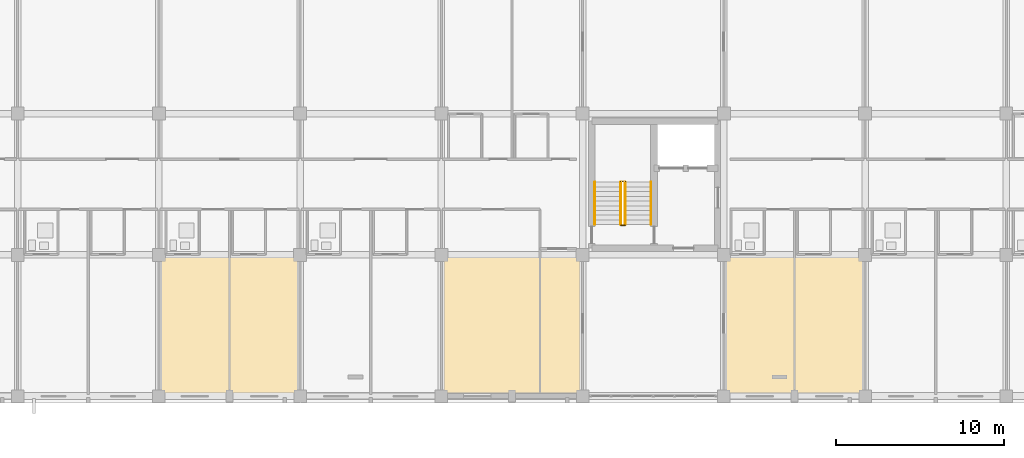
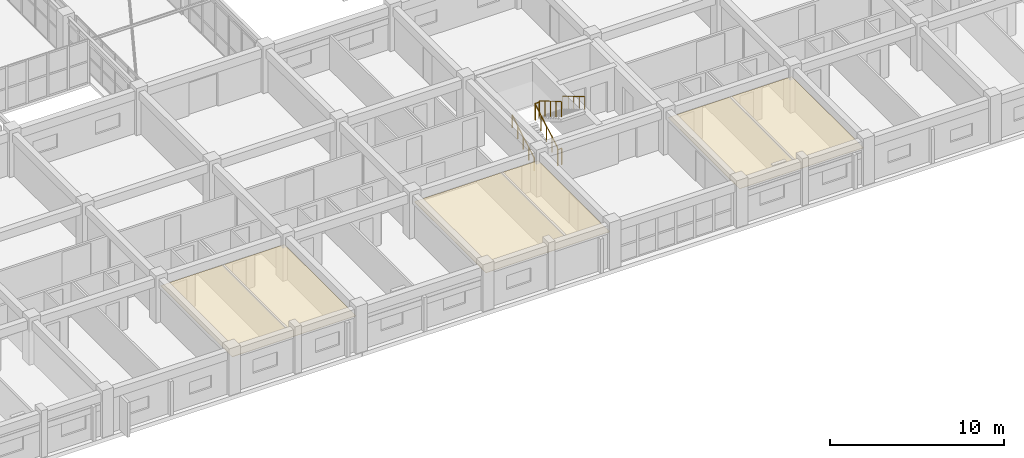
# One storey, part 192 of 200: 6 railings, 3 coverings.
"""IFC4 building model written with IfcOpenShell, lengths in metres."""

from ifc_helpers import new_model, si_unit, direction, frame, origin, origin_2d, place, context, subcontext, project, spatial, polyline, circle, outline, extrude, material, layer, layer_set, type_object, element, save


model = new_model("IFC4")

# Units and contexts
model_context = context("Model", 3, precision=1e-05, world=origin(), true_north=direction((0.0, 1.0)))
body_context = subcontext(model_context, "Body", "Model", "MODEL_VIEW")
ifc_project = project(units=[si_unit("LENGTHUNIT", "METRE"), si_unit("AREAUNIT", "SQUARE_METRE"), si_unit("VOLUMEUNIT", "CUBIC_METRE"), si_unit("PLANEANGLEUNIT", "RADIAN"), si_unit("MASSUNIT", "GRAM", prefix="KILO")], contexts=[model_context])

# Site, building, storey
site_placement = place(None, origin())
site = spatial("IfcSite", under=ifc_project, at=site_placement, CompositionType="ELEMENT")
building_placement = place(site_placement, origin())
building = spatial("IfcBuilding", under=site, at=building_placement, Name="Trelvath General Hospital", CompositionType="ELEMENT")
storey_placement = place(building_placement, frame((0.0, 0.0, 4.800048828125)))
storey = spatial("IfcBuildingStorey", under=building, at=storey_placement, Name="L01", CompositionType="ELEMENT", Elevation=4.800048828125)

# Coverings
ifc_material_1 = material(Name="Hygienic acoustic ceiling tile")
ifc_layer = layer(ifc_material_1, 0.02490234375)
ifc_layer_set = layer_set([ifc_layer], Name="Hygienic acoustic ceiling tile")
covering_type = type_object("IfcCoveringType", Name="Ceiling ClinicalAcoustic", PredefinedType="CEILING", material=ifc_layer_set)
covering_1_placement = place(storey_placement, frame((0.0, 0.0, 2.280029296875)))
element("IfcCovering", 1, at=covering_1_placement, inside=storey, type_object=covering_type, Name="Clinical Acoustic Ceiling L01-16", PredefinedType="CEILING", context=body_context, shape_type="SweptSolid", body=[
    extrude(outline(polyline([(67.300048828125, 0.10009765625), (75.5, 0.10009765625), (75.5, 8.320068359375), (67.300048828125, 8.320068359375), (67.300048828125, 0.10009765625)])), origin(), (0.0, 0.0, 1.0), 0.02490234375),
])
covering_2_placement = place(storey_placement, frame((0.0, 0.0, 2.280029296875)))
element("IfcCovering", 2, at=covering_2_placement, inside=storey, type_object=covering_type, Name="Clinical Acoustic Ceiling L01-17", PredefinedType="CEILING", context=body_context, shape_type="SweptSolid", body=[
    extrude(outline(polyline([(84.10009765625, 0.10009765625), (92.300048828125, 0.10009765625), (92.300048828125, 8.320068359375), (84.10009765625, 8.320068359375), (84.10009765625, 0.10009765625)])), origin(), (0.0, 0.0, 1.0), 0.02490234375),
])
covering_3_placement = place(storey_placement, frame((0.0, 0.0, 2.280029296875)))
element("IfcCovering", 3, at=covering_3_placement, inside=storey, type_object=covering_type, Name="Clinical Acoustic Ceiling L01-18", PredefinedType="CEILING", context=body_context, shape_type="SweptSolid", body=[
    extrude(outline(polyline([(100.89990234375, 0.10009765625), (109.10009765625, 0.10009765625), (109.10009765625, 8.320068359375), (100.89990234375, 8.320068359375), (100.89990234375, 0.10009765625)])), origin(), (0.0, 0.0, 1.0), 0.02490234375),
])

# Railings
ifc_material_2 = material(Name="Architectural painted steel", Category="steel")
railing_type_1 = type_object("IfcRailingType", Name="Guardrail Terrace1150", PredefinedType="GUARDRAIL", material=ifc_material_2)
railing_1_placement = place(storey_placement, frame((94.669921875, 10.159912109375, 0.0)))
element("IfcRailing", 4, at=railing_1_placement, inside=storey, type_object=railing_type_1, Name="Stair Well Edge Guard C5 L01 162", PredefinedType="GUARDRAIL", context=body_context, shape_type="SweptSolid", body=[
    extrude(circle(Radius=0.02392578125, at=origin_2d()), frame((0.0, 0.0, 1.1259765625), z_axis=(1.0, 0.0, 0.0), x_axis=(0.0, 1.0, 0.0)), (0.0, 0.0, 1.0), 0.260009765625),
    extrude(circle(Radius=0.02099609375, at=origin_2d()), origin(), (0.0, 0.0, 1.0), 1.099853515625),
    extrude(circle(Radius=0.02099609375, at=origin_2d()), frame((0.260009765625, 0.0, 0.0)), (0.0, 0.0, 1.0), 1.099853515625),
])
railing_2_placement = place(storey_placement, frame((94.929931640625, 12.719970703125, 1.81494140625)))
element("IfcRailing", 5, at=railing_2_placement, inside=storey, type_object=railing_type_1, Name="Stair Rail ST5 L01 F2 L 164", PredefinedType="GUARDRAIL", context=body_context, shape_type="SweptSolid", body=[
    extrude(circle(Radius=0.02392578125, at=origin_2d()), frame((0.0, 0.0, 1.076171875), z_axis=(0.0, -0.86152411907, 0.507716645641), x_axis=(1.0, 0.0, 0.0)), (0.0, 0.0, 1.0), 2.925048828125),
    extrude(circle(Radius=0.02099609375, at=origin_2d()), origin(), (0.0, 0.0, 1.0), 1.050048828125),
    extrude(circle(Radius=0.02099609375, at=origin_2d()), frame((0.0, -0.6298828125, 0.371337890625)), (0.0, 0.0, 1.0), 1.050048828125),
    extrude(circle(Radius=0.02099609375, at=origin_2d()), frame((0.0, -1.260009765625, 0.74267578125)), (0.0, 0.0, 1.0), 1.050048828125),
    extrude(circle(Radius=0.02099609375, at=origin_2d()), frame((0.0, -1.89013671875, 1.11376953125)), (0.0, 0.0, 1.0), 1.050048828125),
    extrude(circle(Radius=0.02099609375, at=origin_2d()), frame((0.0, -2.52001953125, 1.485107421875)), (0.0, 0.0, 1.0), 1.050048828125),
])
railing_3_placement = place(storey_placement, frame((94.669921875, 10.199951171875, 0.1650390625)))
element("IfcRailing", 6, at=railing_3_placement, inside=storey, type_object=railing_type_1, Name="Stair Rail ST5 L01 F1 R 165", PredefinedType="GUARDRAIL", context=body_context, shape_type="SweptSolid", body=[
    extrude(circle(Radius=0.02392578125, at=origin_2d()), frame((0.0, 0.0, 1.076171875), z_axis=(0.0, 0.861560626758, 0.507654692109), x_axis=(-1.0, 0.0, 0.0)), (0.0, 0.0, 1.0), 2.925048828125),
    extrude(circle(Radius=0.02099609375, at=origin_2d()), origin(), (0.0, 0.0, 1.0), 1.050048828125),
    extrude(circle(Radius=0.02099609375, at=origin_2d()), frame((0.0, 0.6298828125, 0.37109375)), (0.0, 0.0, 1.0), 1.050048828125),
    extrude(circle(Radius=0.02099609375, at=origin_2d()), frame((0.0, 1.260009765625, 0.742431640625)), (0.0, 0.0, 1.0), 1.050048828125),
    extrude(circle(Radius=0.02099609375, at=origin_2d()), frame((0.0, 1.89013671875, 1.11376953125)), (0.0, 0.0, 1.0), 1.050048828125),
    extrude(circle(Radius=0.02099609375, at=origin_2d()), frame((0.0, 2.52001953125, 1.48486328125)), (0.0, 0.0, 1.0), 1.050048828125),
])
railing_4_placement = place(storey_placement, frame((94.669921875, 12.760009765625, 1.64990234375)))
element("IfcRailing", 7, at=railing_4_placement, inside=storey, type_object=railing_type_1, Name="Half-Landing Well Guard ST5 L01 167", PredefinedType="GUARDRAIL", context=body_context, shape_type="SweptSolid", body=[
    extrude(circle(Radius=0.02392578125, at=origin_2d()), frame((0.0, 0.0, 1.1259765625), z_axis=(1.0, 0.0, 0.0), x_axis=(0.0, 1.0, 0.0)), (0.0, 0.0, 1.0), 0.260009765625),
    extrude(circle(Radius=0.02099609375, at=origin_2d()), origin(), (0.0, 0.0, 1.0), 1.099853515625),
    extrude(circle(Radius=0.02099609375, at=origin_2d()), frame((0.260009765625, 0.0, 0.0)), (0.0, 0.0, 1.0), 1.099853515625),
])
ifc_material_3 = material(Name="Brushed stainless steel", Category="steel")
railing_type_2 = type_object("IfcRailingType", Name="Handrail Stair900", PredefinedType="HANDRAIL", material=ifc_material_3)
railing_5_placement = place(storey_placement, frame((93.1298828125, 10.199951171875, 0.1650390625)))
element("IfcRailing", 8, at=railing_5_placement, inside=storey, type_object=railing_type_2, Name="Stair Rail ST5 L01 F1 L 163", PredefinedType="HANDRAIL", context=body_context, shape_type="SweptSolid", body=[
    extrude(circle(Radius=0.02392578125, at=origin_2d()), frame((0.0, 0.0, 0.8759765625), z_axis=(0.0, 0.861560626758, 0.507654692109), x_axis=(-1.0, 0.0, 0.0)), (0.0, 0.0, 1.0), 2.925048828125),
    extrude(circle(Radius=0.02099609375, at=origin_2d()), origin(), (0.0, 0.0, 1.0), 0.849853515625),
    extrude(circle(Radius=0.02099609375, at=origin_2d()), frame((0.0, 0.6298828125, 0.37109375)), (0.0, 0.0, 1.0), 0.849853515625),
    extrude(circle(Radius=0.02099609375, at=origin_2d()), frame((0.0, 1.260009765625, 0.742431640625)), (0.0, 0.0, 1.0), 0.849853515625),
    extrude(circle(Radius=0.02099609375, at=origin_2d()), frame((0.0, 1.89013671875, 1.11376953125)), (0.0, 0.0, 1.0), 0.849853515625),
    extrude(circle(Radius=0.02099609375, at=origin_2d()), frame((0.0, 2.52001953125, 1.48486328125)), (0.0, 0.0, 1.0), 0.849853515625),
])
railing_6_placement = place(storey_placement, frame((96.469970703125, 12.719970703125, 1.81494140625)))
element("IfcRailing", 9, at=railing_6_placement, inside=storey, type_object=railing_type_2, Name="Stair Rail ST5 L01 F2 R 166", PredefinedType="HANDRAIL", context=body_context, shape_type="SweptSolid", body=[
    extrude(circle(Radius=0.02392578125, at=origin_2d()), frame((0.0, 0.0, 0.8759765625), z_axis=(0.0, -0.86152411907, 0.507716645641), x_axis=(1.0, 0.0, 0.0)), (0.0, 0.0, 1.0), 2.925048828125),
    extrude(circle(Radius=0.02099609375, at=origin_2d()), origin(), (0.0, 0.0, 1.0), 0.849853515625),
    extrude(circle(Radius=0.02099609375, at=origin_2d()), frame((0.0, -0.6298828125, 0.371337890625)), (0.0, 0.0, 1.0), 0.849853515625),
    extrude(circle(Radius=0.02099609375, at=origin_2d()), frame((0.0, -1.260009765625, 0.74267578125)), (0.0, 0.0, 1.0), 0.849853515625),
    extrude(circle(Radius=0.02099609375, at=origin_2d()), frame((0.0, -1.89013671875, 1.11376953125)), (0.0, 0.0, 1.0), 0.849853515625),
    extrude(circle(Radius=0.02099609375, at=origin_2d()), frame((0.0, -2.52001953125, 1.485107421875)), (0.0, 0.0, 1.0), 0.849853515625),
])

save(model, "model.ifc")
